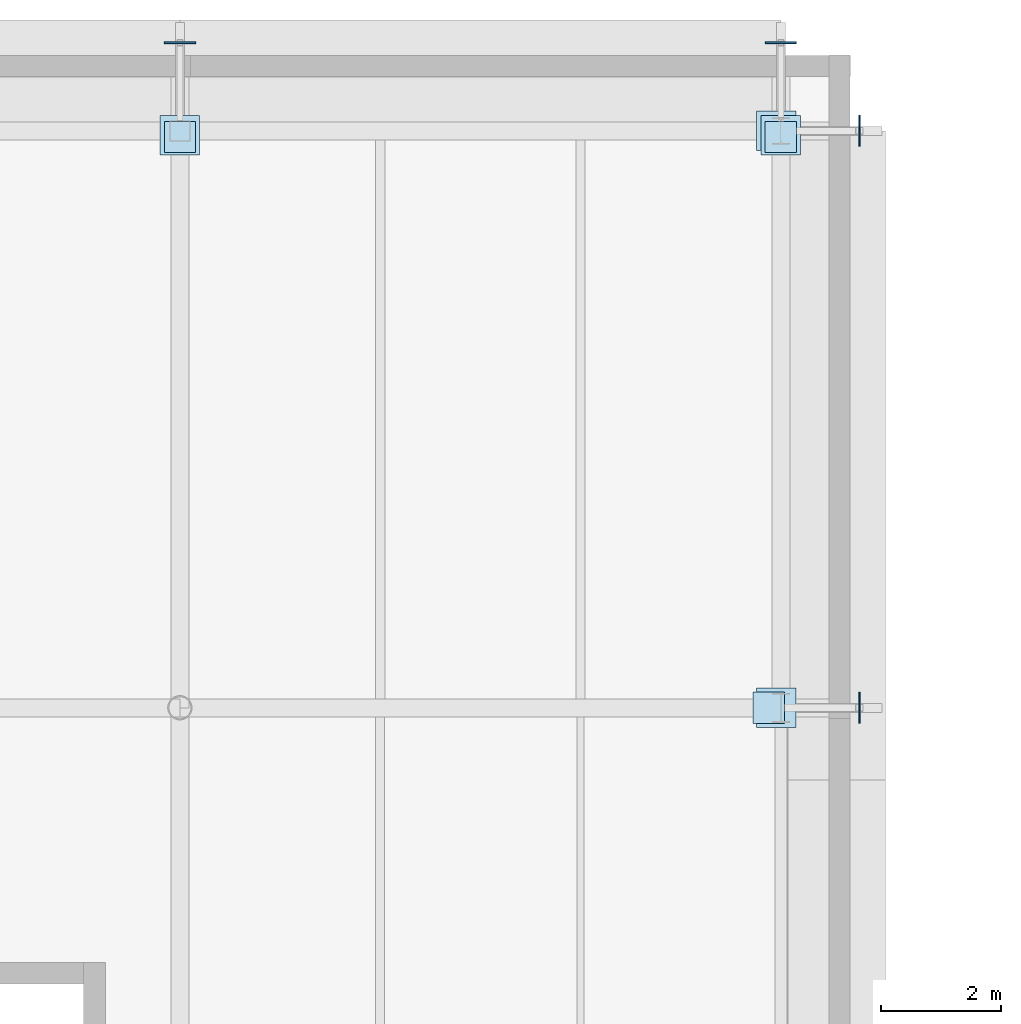
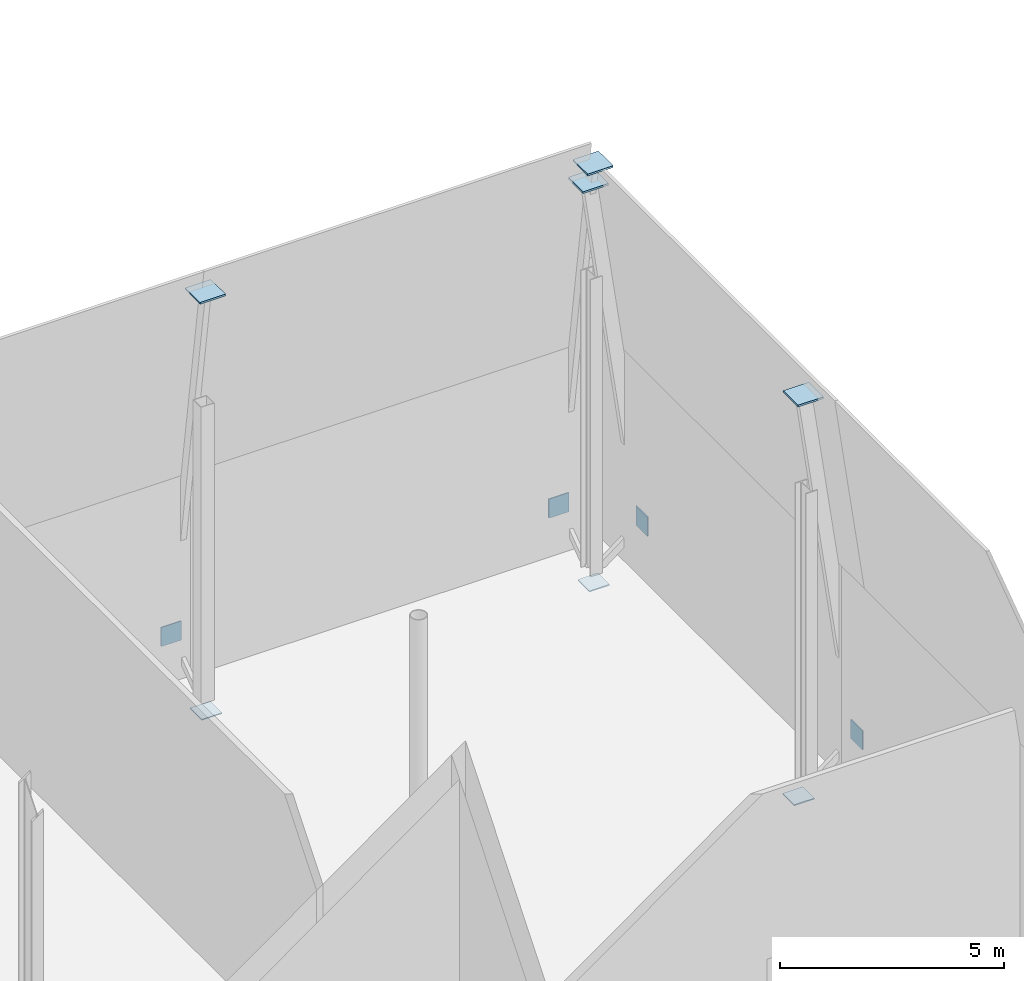
# One storey, part 54 of 79: 11 plates.
"""IFC4 building model written with IfcOpenShell, lengths in metres."""

from ifc_helpers import new_model, si_unit, direction, frame, origin, origin_2d, place, context, subcontext, project, spatial, rectangle, extrude, material, layer, layer_set, type_object, element, save


model = new_model("IFC4")

# Units and contexts
model_context = context("Model", 3, precision=1e-05, world=origin(), true_north=direction((0.0, 1.0)))
body_context = subcontext(model_context, "Body", "Model", "MODEL_VIEW")
ifc_project = project(units=[si_unit("LENGTHUNIT", "METRE"), si_unit("AREAUNIT", "SQUARE_METRE"), si_unit("VOLUMEUNIT", "CUBIC_METRE"), si_unit("PLANEANGLEUNIT", "RADIAN"), si_unit("MASSUNIT", "GRAM", prefix="KILO")], contexts=[model_context])

# Site, building, storey
site_placement = place(None, origin())
site = spatial("IfcSite", under=ifc_project, at=site_placement, CompositionType="ELEMENT")
building_placement = place(site_placement, origin())
building = spatial("IfcBuilding", under=site, at=building_placement, Name="Zereglee Splitstone Museum", CompositionType="ELEMENT")
storey_placement = place(building_placement, frame((0.0, 0.0, 9.0)))
storey = spatial("IfcBuildingStorey", under=building, at=storey_placement, Name="L02", CompositionType="ELEMENT", Elevation=9.0)

# Plates
ifc_material = material(Name="Steel S355J2", Category="steel")
ifc_layer_1 = layer(ifc_material, 0.030029296875)
ifc_layer_set_1 = layer_set([ifc_layer_1], Name="Steel S355J2")
plate_type_1 = type_object("IfcPlateType", Name="NP-04", PredefinedType="SHEET", material=ifc_layer_set_1)
plate_1_placement = place(storey_placement, frame((195.199951171875, 59.89990234375, -0.294921875), z_axis=(0.0, 0.0, 1.0), x_axis=(1.0, 0.0, 0.0)))
element("IfcPlate", 1, at=plate_1_placement, inside=storey, type_object=plate_type_1, Name="Facet Tie Seal Plate FH-V4N", PredefinedType="SHEET", context=body_context, shape_type="SweptSolid", body=[
    extrude(rectangle(XDim=0.52001953125, YDim=0.52001953125, at=origin_2d()), origin(), (0.0, 0.0, 1.0), 0.030029296875),
])
plate_2_placement = place(storey_placement, frame((195.199951171875, 61.465576171875, 0.619873046875), z_axis=(0.0, 0.0, 1.0), x_axis=(1.0, 0.0, 0.0)))
element("IfcPlate", 2, at=plate_2_placement, inside=storey, type_object=plate_type_1, Name="Facet Tie Seal Plate FH-V4N", PredefinedType="SHEET", context=body_context, shape_type="SweptSolid", body=[
    extrude(rectangle(XDim=0.52001953125, YDim=0.030029296875, at=origin_2d()), origin(), (0.0, 0.0, 1.0), 0.52001953125),
])
plate_3_placement = place(storey_placement, frame((205.199951171875, 59.89990234375, -0.294921875), z_axis=(0.0, 0.0, 1.0), x_axis=(1.0, 0.0, 0.0)))
element("IfcPlate", 3, at=plate_3_placement, inside=storey, type_object=plate_type_1, Name="Facet Tie Seal Plate FH-V4N", PredefinedType="SHEET", context=body_context, shape_type="SweptSolid", body=[
    extrude(rectangle(XDim=0.52001953125, YDim=0.52001953125, at=origin_2d()), origin(), (0.0, 0.0, 1.0), 0.030029296875),
])
plate_4_placement = place(storey_placement, frame((205.199951171875, 61.465576171875, 0.619873046875), z_axis=(0.0, 0.0, 1.0), x_axis=(1.0, 0.0, 0.0)))
element("IfcPlate", 4, at=plate_4_placement, inside=storey, type_object=plate_type_1, Name="Facet Tie Seal Plate FH-V4N", PredefinedType="SHEET", context=body_context, shape_type="SweptSolid", body=[
    extrude(rectangle(XDim=0.52001953125, YDim=0.030029296875, at=origin_2d()), origin(), (0.0, 0.0, 1.0), 0.52001953125),
])
plate_5_placement = place(storey_placement, frame((205.0, 50.39990234375, -0.294921875), z_axis=(0.0, 0.0, 1.0), x_axis=(1.0, 0.0, 0.0)))
element("IfcPlate", 5, at=plate_5_placement, inside=storey, type_object=plate_type_1, Name="Facet Tie Seal Plate FH-V4E", PredefinedType="SHEET", context=body_context, shape_type="SweptSolid", body=[
    extrude(rectangle(XDim=0.52001953125, YDim=0.52001953125, at=origin_2d()), origin(), (0.0, 0.0, 1.0), 0.030029296875),
])
for number, where, z_axis, x_axis, name in (
    (6, (206.5078125, 50.39990234375, 0.619873046875), (0.0, 0.0, 1.0), (1.0, 0.0, 0.0), "Facet Tie Seal Plate FH-V4E"),
    (7, (206.5078125, 60.0, 0.619873046875), (0.0, 0.0, 1.0), (1.0, 0.0, 0.0), "Facet Tie Seal Plate FH-V4E"),
):
    element("IfcPlate", number, at=place(storey_placement, frame(where, z_axis=z_axis, x_axis=x_axis)), inside=storey, type_object=plate_type_1, Name=name, PredefinedType="SHEET", context=body_context, shape_type="SweptSolid", body=[
        extrude(rectangle(XDim=0.030029296875, YDim=0.52001953125, at=origin_2d()), origin(), (0.0, 0.0, 1.0), 0.52001953125),
    ])
ifc_layer_2 = layer(ifc_material, 0.050048828125)
ifc_layer_set_2 = layer_set([ifc_layer_2], Name="Steel S355J2")
plate_type_2 = type_object("IfcPlateType", Name="NP-02", PredefinedType="SHEET", material=ifc_layer_set_2)
for number, where, z_axis, x_axis, name in (
    (8, (195.199951171875, 59.927978515625, 11.10498046875), (0.0, 0.0, 1.0), (1.0, 0.0, 0.0), "Facet Strut Seal Plate FH-V4N"),
    (9, (205.199951171875, 59.927978515625, 11.10498046875), (0.0, 0.0, 1.0), (1.0, 0.0, 0.0), "Facet Strut Seal Plate FH-V4N"),
    (10, (205.123779296875, 50.39990234375, 10.60498046875), (0.0, 0.0, 1.0), (1.0, 0.0, 0.0), "Facet Strut Seal Plate FH-V4E"),
    (11, (205.123779296875, 60.0, 10.60498046875), (0.0, 0.0, 1.0), (1.0, 0.0, 0.0), "Facet Strut Seal Plate FH-V4E"),
):
    element("IfcPlate", number, at=place(storey_placement, frame(where, z_axis=z_axis, x_axis=x_axis)), inside=storey, type_object=plate_type_2, Name=name, PredefinedType="SHEET", context=body_context, shape_type="SweptSolid", body=[
        extrude(rectangle(XDim=0.659912109375, YDim=0.659912109375, at=origin_2d()), origin(), (0.0, 0.0, 1.0), 0.050048828125),
    ])

save(model, "model.ifc")
